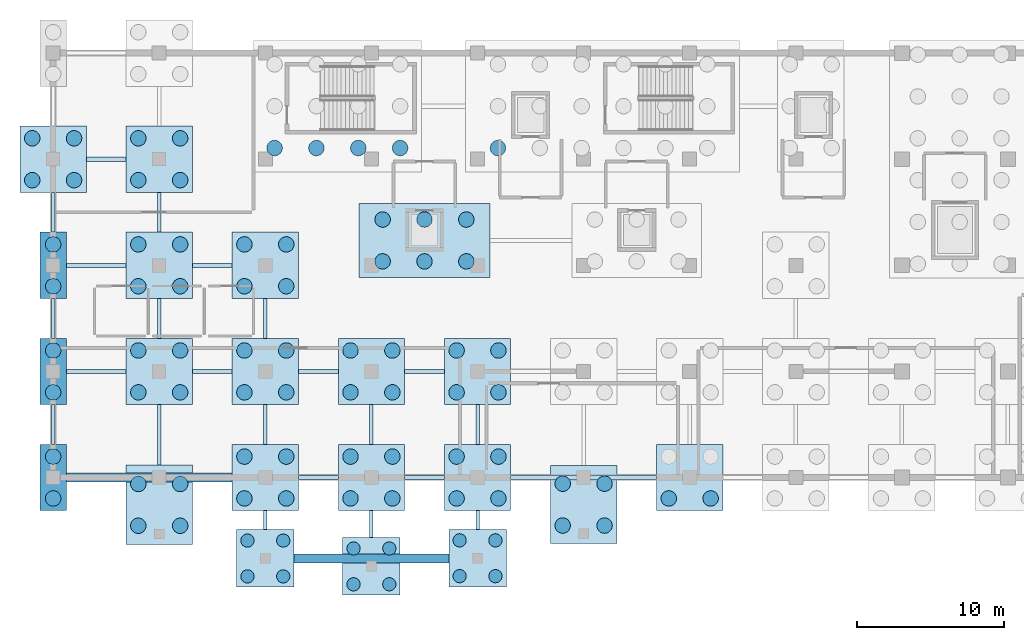
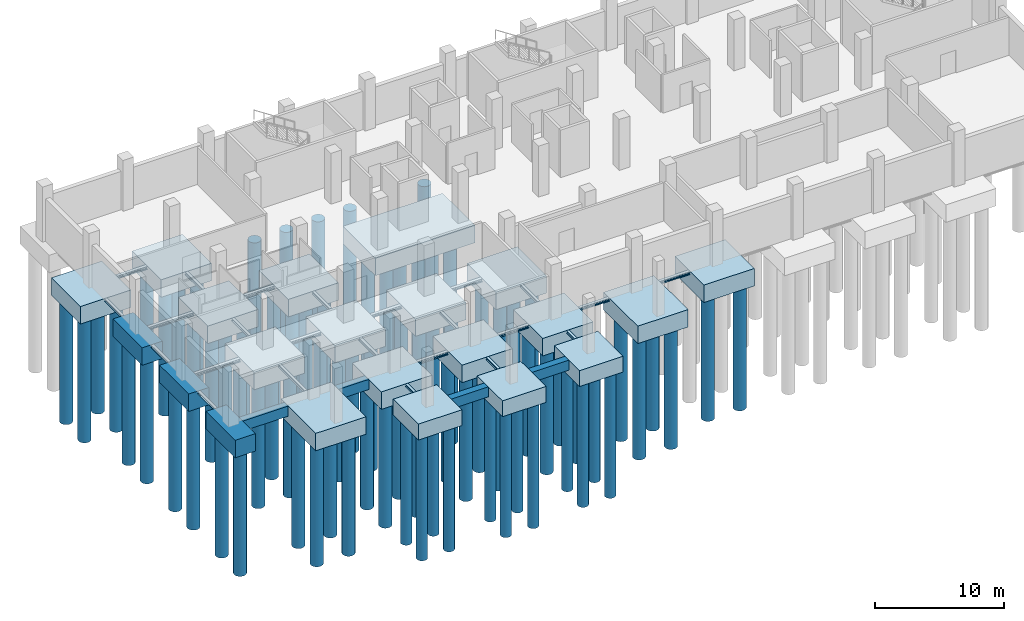
# One storey, part 1 of 10: 83 piles, 46 footings.
"""IFC4 building model written with IfcOpenShell, lengths in metres."""

from ifc_helpers import new_model, si_unit, direction, frame, origin, origin_2d, place, context, subcontext, project, spatial, rectangle, circle, i_section, extrude, material, material_profile, profile_set, type_object, element, save


model = new_model("IFC4")

# Units and contexts
model_context = context("Model", 3, precision=1e-05, world=origin(), true_north=direction((0.0, 1.0)))
body_context = subcontext(model_context, "Body", "Model", "MODEL_VIEW")
ifc_project = project(units=[si_unit("LENGTHUNIT", "METRE"), si_unit("AREAUNIT", "SQUARE_METRE"), si_unit("VOLUMEUNIT", "CUBIC_METRE"), si_unit("PLANEANGLEUNIT", "RADIAN"), si_unit("MASSUNIT", "GRAM", prefix="KILO")], contexts=[model_context])

# Site, building, storey
site_placement = place(None, origin())
site = spatial("IfcSite", under=ifc_project, at=site_placement, CompositionType="ELEMENT")
building_placement = place(site_placement, origin())
building = spatial("IfcBuilding", under=site, at=building_placement, Name="Cendralis Lancet Convention Centre", CompositionType="ELEMENT")
storey_placement = place(building_placement, frame((0.0, 0.0, -4.800048828125)))
storey = spatial("IfcBuildingStorey", under=building, at=storey_placement, Name="B1", CompositionType="ELEMENT", Elevation=-4.800048828125)

# Footings
ifc_material_1 = material(Name="Concrete G35 (C35/45)", Category="concrete")
footing_type_1 = type_object("IfcFootingType", Name="STR-FT-PC01", PredefinedType="PILE_CAP", material=ifc_material_1)
for number, where, z_axis, x_axis, name in (
    (1, (132.0, 7.199951171875, -2.0498046875), (0.0, 0.0, 1.0), (1.0, 0.0, 0.0), "Pile Cap PC-01 #001"),
    (2, (132.0, 14.39990234375, -2.0498046875), (0.0, 0.0, 1.0), (1.0, 0.0, 0.0), "Pile Cap PC-01 #002"),
    (3, (132.0, 21.60009765625, -2.0498046875), (0.0, 0.0, 1.0), (1.0, 0.0, 0.0), "Pile Cap PC-01 #003"),
):
    element("IfcFooting", number, at=place(storey_placement, frame(where, z_axis=z_axis, x_axis=x_axis)), inside=storey, type_object=footing_type_1, Name=name, PredefinedType="PILE_CAP", context=body_context, shape_type="SweptSolid", body=[
        extrude(rectangle(XDim=1.800048828125, YDim=4.5, at=origin_2d()), origin(), (0.0, 0.0, 1.0), 1.64990234375),
    ])
footing_type_2 = type_object("IfcFootingType", Name="STR-FT-PC02", PredefinedType="PILE_CAP", material=ifc_material_1)
for number, where, z_axis, x_axis, name in (
    (4, (132.0, 28.800048828125, -2.0498046875), (0.0, 0.0, 1.0), (1.0, 0.0, 0.0), "Pile Cap PC-02 #004"),
    (5, (139.199951171875, 14.39990234375, -2.0498046875), (0.0, 0.0, 1.0), (1.0, 0.0, 0.0), "Pile Cap PC-02 #007"),
    (6, (139.199951171875, 21.60009765625, -2.0498046875), (0.0, 0.0, 1.0), (1.0, 0.0, 0.0), "Pile Cap PC-02 #008"),
    (7, (139.199951171875, 28.800048828125, -2.0498046875), (0.0, 0.0, 1.0), (1.0, 0.0, 0.0), "Pile Cap PC-02 #009"),
    (8, (146.39990234375, 7.199951171875, -2.0498046875), (0.0, 0.0, 1.0), (1.0, 0.0, 0.0), "Pile Cap PC-02 #012"),
    (9, (146.39990234375, 14.39990234375, -2.0498046875), (0.0, 0.0, 1.0), (1.0, 0.0, 0.0), "Pile Cap PC-02 #013"),
    (10, (146.39990234375, 21.60009765625, -2.0498046875), (0.0, 0.0, 1.0), (1.0, 0.0, 0.0), "Pile Cap PC-02 #014"),
    (11, (153.60009765625, 7.199951171875, -2.0498046875), (0.0, 0.0, 1.0), (1.0, 0.0, 0.0), "Pile Cap PC-02 #017"),
    (12, (153.60009765625, 14.39990234375, -2.0498046875), (0.0, 0.0, 1.0), (1.0, 0.0, 0.0), "Pile Cap PC-02 #018"),
    (13, (160.800048828125, 7.199951171875, -2.0498046875), (0.0, 0.0, 1.0), (1.0, 0.0, 0.0), "Pile Cap PC-02 #021"),
    (14, (160.800048828125, 14.39990234375, -2.0498046875), (0.0, 0.0, 1.0), (1.0, 0.0, 0.0), "Pile Cap PC-02 #022"),
    (15, (175.199951171875, 7.199951171875, -2.0498046875), (0.0, 0.0, 1.0), (1.0, 0.0, 0.0), "Pile Cap PC-02 #027"),
):
    element("IfcFooting", number, at=place(storey_placement, frame(where, z_axis=z_axis, x_axis=x_axis)), inside=storey, type_object=footing_type_2, Name=name, PredefinedType="PILE_CAP", context=body_context, shape_type="SweptSolid", body=[
        extrude(rectangle(XDim=4.5, YDim=4.5, at=origin_2d()), origin(), (0.0, 0.0, 1.0), 1.64990234375),
    ])
footing_type_3 = type_object("IfcFootingType", Name="STR-FT-PC03", PredefinedType="PILE_CAP", material=ifc_material_1)
footing_1_placement = place(storey_placement, frame((139.199951171875, 5.34521484375, -2.0498046875), z_axis=(0.0, 0.0, 1.0), x_axis=(1.0, 0.0, 0.0)))
element("IfcFooting", 16, at=footing_1_placement, inside=storey, type_object=footing_type_3, Name="Pile Cap PC-03 #006", PredefinedType="PILE_CAP", context=body_context, shape_type="SweptSolid", body=[
    extrude(rectangle(XDim=4.5, YDim=5.39990234375, at=origin_2d()), origin(), (0.0, 0.0, 1.0), 1.64990234375),
])
footing_type_4 = type_object("IfcFootingType", Name="STR-FT-PC04", PredefinedType="PILE_CAP", material=ifc_material_1)
for number, where, z_axis, x_axis, name in (
    (17, (146.39990234375, 1.705810546875, -1.89990234375), (0.0, 0.0, 1.0), (1.0, 0.0, 0.0), "Pile Cap PC-04 #011"),
    (18, (153.60009765625, 1.169921875, -1.89990234375), (0.0, 0.0, 1.0), (1.0, 0.0, 0.0), "Pile Cap PC-04 #016"),
    (19, (160.800048828125, 1.720458984375, -1.89990234375), (0.0, 0.0, 1.0), (1.0, 0.0, 0.0), "Pile Cap PC-04 #020"),
):
    element("IfcFooting", number, at=place(storey_placement, frame(where, z_axis=z_axis, x_axis=x_axis)), inside=storey, type_object=footing_type_4, Name=name, PredefinedType="PILE_CAP", context=body_context, shape_type="SweptSolid", body=[
        extrude(rectangle(XDim=3.89990234375, YDim=3.89990234375, at=origin_2d()), origin(), (0.0, 0.0, 1.0), 1.5),
    ])
footing_type_5 = type_object("IfcFootingType", Name="STR-FT-PC06", PredefinedType="PILE_CAP", material=ifc_material_1)
footing_2_placement = place(storey_placement, frame((157.199951171875, 23.28759765625, -2.0498046875), z_axis=(0.0, 0.0, 1.0), x_axis=(1.0, 0.0, 0.0)))
element("IfcFooting", 20, at=footing_2_placement, inside=storey, type_object=footing_type_5, Name="Pile Cap PC-06 #019", PredefinedType="PILE_CAP", context=body_context, shape_type="SweptSolid", body=[
    extrude(rectangle(XDim=8.89990234375, YDim=5.0, at=origin_2d()), origin(), (0.0, 0.0, 1.0), 1.64990234375),
])
footing_type_6 = type_object("IfcFootingType", Name="STR-FT-PC07", PredefinedType="PILE_CAP", material=ifc_material_1)
footing_3_placement = place(storey_placement, frame((168.0, 5.360595703125, -2.0498046875), z_axis=(0.0, 0.0, 1.0), x_axis=(1.0, 0.0, 0.0)))
element("IfcFooting", 21, at=footing_3_placement, inside=storey, type_object=footing_type_6, Name="Pile Cap PC-07 #023", PredefinedType="PILE_CAP", context=body_context, shape_type="SweptSolid", body=[
    extrude(rectangle(XDim=4.5, YDim=5.300048828125, at=origin_2d()), origin(), (0.0, 0.0, 1.0), 1.64990234375),
])
ifc_material_profile_1 = material_profile(ifc_material_1, rectangle(XDim=0.60009765625, YDim=0.949951171875, at=origin_2d()), Name="RCB 600x950")
ifc_profile_set_1 = profile_set([ifc_material_profile_1], Name="Concrete G35 (C35/45)")
footing_type_7 = type_object("IfcFootingType", Name="STR-GB-GB01", PredefinedType="FOOTING_BEAM", material=ifc_profile_set_1)
footing_4_placement = place(storey_placement, frame((148.35009765625, 1.713134765625, -0.875), z_axis=(1.0, 0.0, 0.0), x_axis=(0.0, 1.0, 0.0)))
element("IfcFooting", 22, at=footing_4_placement, inside=storey, type_object=footing_type_7, Name="Ground Tie Beam GB01 X-001", PredefinedType="FOOTING_BEAM", context=body_context, shape_type="SweptSolid", body=[
    extrude(rectangle(XDim=0.60009765625, YDim=0.949951171875, at=origin_2d()), origin(), (0.0, 0.0, 1.0), 10.5),
])
footing_5_placement = place(storey_placement, frame((132.89990234375, 7.199951171875, -0.875), z_axis=(1.0, 0.0, 0.0), x_axis=(0.0, 1.0, 0.0)))
element("IfcFooting", 23, at=footing_5_placement, inside=storey, type_object=footing_type_7, Name="Ground Tie Beam GB01 X-002", PredefinedType="FOOTING_BEAM", context=body_context, shape_type="SweptSolid", body=[
    extrude(rectangle(XDim=0.60009765625, YDim=0.949951171875, at=origin_2d()), origin(), (0.0, 0.0, 1.0), 11.25),
])
ifc_material_2 = material(Name="Steel S355", Category="steel")
ifc_material_profile_2 = material_profile(ifc_material_2, i_section(OverallWidth=0.280029296875, OverallDepth=0.280029296875, WebThickness=0.010498046875, FlangeThickness=0.01806640625, FilletRadius=0.02392578125, at=origin_2d()), Name="HEB 280")
ifc_profile_set_2 = profile_set([ifc_material_profile_2], Name="Steel S355")
footing_type_8 = type_object("IfcFootingType", Name="STR-GB-GB05", PredefinedType="FOOTING_BEAM", material=ifc_profile_set_2)
footing_6_placement = place(storey_placement, frame((148.64990234375, 7.199951171875, -0.5400390625), z_axis=(1.0, 0.0, 0.0), x_axis=(0.0, 1.0, 0.0)))
element("IfcFooting", 24, at=footing_6_placement, inside=storey, type_object=footing_type_8, Name="Ground Tie Beam GB05 X-003", PredefinedType="FOOTING_BEAM", context=body_context, shape_type="SweptSolid", body=[
    extrude(i_section(OverallWidth=0.280029296875, OverallDepth=0.280029296875, WebThickness=0.010498046875, FlangeThickness=0.01806640625, FilletRadius=0.02392578125, at=origin_2d()), origin(), (0.0, 0.0, 1.0), 2.7001953125),
])
footing_7_placement = place(storey_placement, frame((155.85009765625, 7.199951171875, -0.5400390625), z_axis=(1.0, 0.0, 0.0), x_axis=(0.0, 1.0, 0.0)))
element("IfcFooting", 25, at=footing_7_placement, inside=storey, type_object=footing_type_8, Name="Ground Tie Beam GB05 X-004", PredefinedType="FOOTING_BEAM", context=body_context, shape_type="SweptSolid", body=[
    extrude(i_section(OverallWidth=0.280029296875, OverallDepth=0.280029296875, WebThickness=0.010498046875, FlangeThickness=0.01806640625, FilletRadius=0.02392578125, at=origin_2d()), origin(), (0.0, 0.0, 1.0), 2.699951171875),
])
footing_8_placement = place(storey_placement, frame((163.050048828125, 7.199951171875, -0.5400390625), z_axis=(1.0, 0.0, 0.0), x_axis=(0.0, 1.0, 0.0)))
element("IfcFooting", 26, at=footing_8_placement, inside=storey, type_object=footing_type_8, Name="Ground Tie Beam GB05 X-005", PredefinedType="FOOTING_BEAM", context=body_context, shape_type="SweptSolid", body=[
    extrude(i_section(OverallWidth=0.280029296875, OverallDepth=0.280029296875, WebThickness=0.010498046875, FlangeThickness=0.01806640625, FilletRadius=0.02392578125, at=origin_2d()), origin(), (0.0, 0.0, 1.0), 9.89990234375),
])
footing_9_placement = place(storey_placement, frame((132.89990234375, 14.39990234375, -0.5400390625), z_axis=(1.0, 0.0, 0.0), x_axis=(0.0, 1.0, 0.0)))
element("IfcFooting", 27, at=footing_9_placement, inside=storey, type_object=footing_type_8, Name="Ground Tie Beam GB05 X-010", PredefinedType="FOOTING_BEAM", context=body_context, shape_type="SweptSolid", body=[
    extrude(i_section(OverallWidth=0.280029296875, OverallDepth=0.280029296875, WebThickness=0.010498046875, FlangeThickness=0.01806640625, FilletRadius=0.02392578125, at=origin_2d()), origin(), (0.0, 0.0, 1.0), 4.050048828125),
])
footing_10_placement = place(storey_placement, frame((141.449951171875, 14.39990234375, -0.5400390625), z_axis=(1.0, 0.0, 0.0), x_axis=(0.0, 1.0, 0.0)))
element("IfcFooting", 28, at=footing_10_placement, inside=storey, type_object=footing_type_8, Name="Ground Tie Beam GB05 X-011", PredefinedType="FOOTING_BEAM", context=body_context, shape_type="SweptSolid", body=[
    extrude(i_section(OverallWidth=0.280029296875, OverallDepth=0.280029296875, WebThickness=0.010498046875, FlangeThickness=0.01806640625, FilletRadius=0.02392578125, at=origin_2d()), origin(), (0.0, 0.0, 1.0), 2.699951171875),
])
footing_11_placement = place(storey_placement, frame((148.64990234375, 14.39990234375, -0.5400390625), z_axis=(1.0, 0.0, 0.0), x_axis=(0.0, 1.0, 0.0)))
element("IfcFooting", 29, at=footing_11_placement, inside=storey, type_object=footing_type_8, Name="Ground Tie Beam GB05 X-012", PredefinedType="FOOTING_BEAM", context=body_context, shape_type="SweptSolid", body=[
    extrude(i_section(OverallWidth=0.280029296875, OverallDepth=0.280029296875, WebThickness=0.010498046875, FlangeThickness=0.01806640625, FilletRadius=0.02392578125, at=origin_2d()), origin(), (0.0, 0.0, 1.0), 2.7001953125),
])
footing_12_placement = place(storey_placement, frame((155.85009765625, 14.39990234375, -0.5400390625), z_axis=(1.0, 0.0, 0.0), x_axis=(0.0, 1.0, 0.0)))
element("IfcFooting", 30, at=footing_12_placement, inside=storey, type_object=footing_type_8, Name="Ground Tie Beam GB05 X-013", PredefinedType="FOOTING_BEAM", context=body_context, shape_type="SweptSolid", body=[
    extrude(i_section(OverallWidth=0.280029296875, OverallDepth=0.280029296875, WebThickness=0.010498046875, FlangeThickness=0.01806640625, FilletRadius=0.02392578125, at=origin_2d()), origin(), (0.0, 0.0, 1.0), 2.699951171875),
])
footing_13_placement = place(storey_placement, frame((132.89990234375, 21.60009765625, -0.5400390625), z_axis=(1.0, 0.0, 0.0), x_axis=(0.0, 1.0, 0.0)))
element("IfcFooting", 31, at=footing_13_placement, inside=storey, type_object=footing_type_8, Name="Ground Tie Beam GB05 X-020", PredefinedType="FOOTING_BEAM", context=body_context, shape_type="SweptSolid", body=[
    extrude(i_section(OverallWidth=0.280029296875, OverallDepth=0.280029296875, WebThickness=0.010498046875, FlangeThickness=0.01806640625, FilletRadius=0.02392578125, at=origin_2d()), origin(), (0.0, 0.0, 1.0), 4.050048828125),
])
for number, where, z_axis, x_axis, name in (
    (32, (141.449951171875, 21.60009765625, -0.5400390625), (1.0, 0.0, 0.0), (0.0, 1.0, 0.0), "Ground Tie Beam GB05 X-021"),
    (33, (134.25, 28.800048828125, -0.5400390625), (1.0, 0.0, 0.0), (0.0, 1.0, 0.0), "Ground Tie Beam GB05 X-023"),
):
    element("IfcFooting", number, at=place(storey_placement, frame(where, z_axis=z_axis, x_axis=x_axis)), inside=storey, type_object=footing_type_8, Name=name, PredefinedType="FOOTING_BEAM", context=body_context, shape_type="SweptSolid", body=[
        extrude(i_section(OverallWidth=0.280029296875, OverallDepth=0.280029296875, WebThickness=0.010498046875, FlangeThickness=0.01806640625, FilletRadius=0.02392578125, at=origin_2d()), origin(), (0.0, 0.0, 1.0), 2.699951171875),
    ])
ifc_material_profile_3 = material_profile(ifc_material_2, i_section(OverallWidth=0.239990234375, OverallDepth=0.239990234375, WebThickness=0.010009765625, FlangeThickness=0.01708984375, FilletRadius=0.02099609375, at=origin_2d()), Name="HEB 240")
ifc_profile_set_3 = profile_set([ifc_material_profile_3], Name="Steel S355")
footing_type_9 = type_object("IfcFootingType", Name="STR-GB-GB06", PredefinedType="FOOTING_BEAM", material=ifc_profile_set_3)
footing_14_placement = place(storey_placement, frame((132.0, 9.449951171875, -0.52001953125), z_axis=(0.0, 1.0, 0.0), x_axis=(-1.0, 0.0, 0.0)))
element("IfcFooting", 34, at=footing_14_placement, inside=storey, type_object=footing_type_9, Name="Ground Tie Beam GB06 Y-131", PredefinedType="FOOTING_BEAM", context=body_context, shape_type="SweptSolid", body=[
    extrude(i_section(OverallWidth=0.239990234375, OverallDepth=0.239990234375, WebThickness=0.010009765625, FlangeThickness=0.01708984375, FilletRadius=0.02099609375, at=origin_2d()), origin(), (0.0, 0.0, 1.0), 2.699951171875),
])
footing_15_placement = place(storey_placement, frame((132.0, 16.64990234375, -0.52001953125), z_axis=(0.0, 1.0, 0.0), x_axis=(-1.0, 0.0, 0.0)))
element("IfcFooting", 35, at=footing_15_placement, inside=storey, type_object=footing_type_9, Name="Ground Tie Beam GB06 Y-132", PredefinedType="FOOTING_BEAM", context=body_context, shape_type="SweptSolid", body=[
    extrude(i_section(OverallWidth=0.239990234375, OverallDepth=0.239990234375, WebThickness=0.010009765625, FlangeThickness=0.01708984375, FilletRadius=0.02099609375, at=origin_2d()), origin(), (0.0, 0.0, 1.0), 2.7001953125),
])
footing_16_placement = place(storey_placement, frame((132.0, 23.85009765625, -0.52001953125), z_axis=(0.0, 1.0, 0.0), x_axis=(-1.0, 0.0, 0.0)))
element("IfcFooting", 36, at=footing_16_placement, inside=storey, type_object=footing_type_9, Name="Ground Tie Beam GB06 Y-133", PredefinedType="FOOTING_BEAM", context=body_context, shape_type="SweptSolid", body=[
    extrude(i_section(OverallWidth=0.239990234375, OverallDepth=0.239990234375, WebThickness=0.010009765625, FlangeThickness=0.01708984375, FilletRadius=0.02099609375, at=origin_2d()), origin(), (0.0, 0.0, 1.0), 2.699951171875),
])
footing_17_placement = place(storey_placement, frame((139.199951171875, 8.04541015625, -0.52001953125), z_axis=(0.0, 1.0, 0.0), x_axis=(-1.0, 0.0, 0.0)))
element("IfcFooting", 37, at=footing_17_placement, inside=storey, type_object=footing_type_9, Name="Ground Tie Beam GB06 Y-135", PredefinedType="FOOTING_BEAM", context=body_context, shape_type="SweptSolid", body=[
    extrude(i_section(OverallWidth=0.239990234375, OverallDepth=0.239990234375, WebThickness=0.010009765625, FlangeThickness=0.01708984375, FilletRadius=0.02099609375, at=origin_2d()), origin(), (0.0, 0.0, 1.0), 4.1044921875),
])
footing_18_placement = place(storey_placement, frame((139.199951171875, 16.64990234375, -0.52001953125), z_axis=(0.0, 1.0, 0.0), x_axis=(-1.0, 0.0, 0.0)))
element("IfcFooting", 38, at=footing_18_placement, inside=storey, type_object=footing_type_9, Name="Ground Tie Beam GB06 Y-136", PredefinedType="FOOTING_BEAM", context=body_context, shape_type="SweptSolid", body=[
    extrude(i_section(OverallWidth=0.239990234375, OverallDepth=0.239990234375, WebThickness=0.010009765625, FlangeThickness=0.01708984375, FilletRadius=0.02099609375, at=origin_2d()), origin(), (0.0, 0.0, 1.0), 2.7001953125),
])
footing_19_placement = place(storey_placement, frame((139.199951171875, 23.85009765625, -0.52001953125), z_axis=(0.0, 1.0, 0.0), x_axis=(-1.0, 0.0, 0.0)))
element("IfcFooting", 39, at=footing_19_placement, inside=storey, type_object=footing_type_9, Name="Ground Tie Beam GB06 Y-137", PredefinedType="FOOTING_BEAM", context=body_context, shape_type="SweptSolid", body=[
    extrude(i_section(OverallWidth=0.239990234375, OverallDepth=0.239990234375, WebThickness=0.010009765625, FlangeThickness=0.01708984375, FilletRadius=0.02099609375, at=origin_2d()), origin(), (0.0, 0.0, 1.0), 2.699951171875),
])
footing_20_placement = place(storey_placement, frame((146.39990234375, 3.65576171875, -0.52001953125), z_axis=(0.0, 1.0, 0.0), x_axis=(-1.0, 0.0, 0.0)))
element("IfcFooting", 40, at=footing_20_placement, inside=storey, type_object=footing_type_9, Name="Ground Tie Beam GB06 Y-139", PredefinedType="FOOTING_BEAM", context=body_context, shape_type="SweptSolid", body=[
    extrude(i_section(OverallWidth=0.239990234375, OverallDepth=0.239990234375, WebThickness=0.010009765625, FlangeThickness=0.01708984375, FilletRadius=0.02099609375, at=origin_2d()), origin(), (0.0, 0.0, 1.0), 1.294189453125),
])
footing_21_placement = place(storey_placement, frame((146.39990234375, 9.449951171875, -0.52001953125), z_axis=(0.0, 1.0, 0.0), x_axis=(-1.0, 0.0, 0.0)))
element("IfcFooting", 41, at=footing_21_placement, inside=storey, type_object=footing_type_9, Name="Ground Tie Beam GB06 Y-140", PredefinedType="FOOTING_BEAM", context=body_context, shape_type="SweptSolid", body=[
    extrude(i_section(OverallWidth=0.239990234375, OverallDepth=0.239990234375, WebThickness=0.010009765625, FlangeThickness=0.01708984375, FilletRadius=0.02099609375, at=origin_2d()), origin(), (0.0, 0.0, 1.0), 2.699951171875),
])
footing_22_placement = place(storey_placement, frame((146.39990234375, 16.64990234375, -0.52001953125), z_axis=(0.0, 1.0, 0.0), x_axis=(-1.0, 0.0, 0.0)))
element("IfcFooting", 42, at=footing_22_placement, inside=storey, type_object=footing_type_9, Name="Ground Tie Beam GB06 Y-141", PredefinedType="FOOTING_BEAM", context=body_context, shape_type="SweptSolid", body=[
    extrude(i_section(OverallWidth=0.239990234375, OverallDepth=0.239990234375, WebThickness=0.010009765625, FlangeThickness=0.01708984375, FilletRadius=0.02099609375, at=origin_2d()), origin(), (0.0, 0.0, 1.0), 2.7001953125),
])
footing_23_placement = place(storey_placement, frame((153.60009765625, 3.1201171875, -0.52001953125), z_axis=(0.0, 1.0, 0.0), x_axis=(-1.0, 0.0, 0.0)))
element("IfcFooting", 43, at=footing_23_placement, inside=storey, type_object=footing_type_9, Name="Ground Tie Beam GB06 Y-142", PredefinedType="FOOTING_BEAM", context=body_context, shape_type="SweptSolid", body=[
    extrude(i_section(OverallWidth=0.239990234375, OverallDepth=0.239990234375, WebThickness=0.010009765625, FlangeThickness=0.01708984375, FilletRadius=0.02099609375, at=origin_2d()), origin(), (0.0, 0.0, 1.0), 1.829833984375),
])
footing_24_placement = place(storey_placement, frame((153.60009765625, 9.449951171875, -0.52001953125), z_axis=(0.0, 1.0, 0.0), x_axis=(-1.0, 0.0, 0.0)))
element("IfcFooting", 44, at=footing_24_placement, inside=storey, type_object=footing_type_9, Name="Ground Tie Beam GB06 Y-143", PredefinedType="FOOTING_BEAM", context=body_context, shape_type="SweptSolid", body=[
    extrude(i_section(OverallWidth=0.239990234375, OverallDepth=0.239990234375, WebThickness=0.010009765625, FlangeThickness=0.01708984375, FilletRadius=0.02099609375, at=origin_2d()), origin(), (0.0, 0.0, 1.0), 2.699951171875),
])
footing_25_placement = place(storey_placement, frame((160.800048828125, 3.67041015625, -0.52001953125), z_axis=(0.0, 1.0, 0.0), x_axis=(-1.0, 0.0, 0.0)))
element("IfcFooting", 45, at=footing_25_placement, inside=storey, type_object=footing_type_9, Name="Ground Tie Beam GB06 Y-144", PredefinedType="FOOTING_BEAM", context=body_context, shape_type="SweptSolid", body=[
    extrude(i_section(OverallWidth=0.239990234375, OverallDepth=0.239990234375, WebThickness=0.010009765625, FlangeThickness=0.01708984375, FilletRadius=0.02099609375, at=origin_2d()), origin(), (0.0, 0.0, 1.0), 1.279541015625),
])
footing_26_placement = place(storey_placement, frame((160.800048828125, 9.449951171875, -0.52001953125), z_axis=(0.0, 1.0, 0.0), x_axis=(-1.0, 0.0, 0.0)))
element("IfcFooting", 46, at=footing_26_placement, inside=storey, type_object=footing_type_9, Name="Ground Tie Beam GB06 Y-145", PredefinedType="FOOTING_BEAM", context=body_context, shape_type="SweptSolid", body=[
    extrude(i_section(OverallWidth=0.239990234375, OverallDepth=0.239990234375, WebThickness=0.010009765625, FlangeThickness=0.01708984375, FilletRadius=0.02099609375, at=origin_2d()), origin(), (0.0, 0.0, 1.0), 2.699951171875),
])

# Piles
ifc_material_profile_4 = material_profile(ifc_material_1, circle(Radius=0.52490234375, at=origin_2d()), Name="BORED PILE D1050")
ifc_profile_set_4 = profile_set([ifc_material_profile_4], Name="Concrete G35 (C35/45)")
pile_type_1 = type_object("IfcPileType", Name="STR-PL-P1050", PredefinedType="BORED", material=ifc_profile_set_4)
for number, where, z_axis, x_axis, name in (
    (47, (132.0, 5.780029296875, -1.89990234375), (0.0, 0.0, -1.0), (1.0, 0.0, 0.0), "Bored Pile P-1050 FT2-PC-01-001-P1"),
    (48, (132.0, 8.6201171875, -1.89990234375), (0.0, 0.0, -1.0), (1.0, 0.0, 0.0), "Bored Pile P-1050 FT2-PC-01-001-P2"),
    (49, (132.0, 12.97998046875, -1.89990234375), (0.0, 0.0, -1.0), (1.0, 0.0, 0.0), "Bored Pile P-1050 FT2-PC-01-002-P1"),
    (50, (132.0, 15.820068359375, -1.89990234375), (0.0, 0.0, -1.0), (1.0, 0.0, 0.0), "Bored Pile P-1050 FT2-PC-01-002-P2"),
    (51, (132.0, 20.179931640625, -1.89990234375), (0.0, 0.0, -1.0), (1.0, 0.0, 0.0), "Bored Pile P-1050 FT2-PC-01-003-P1"),
    (52, (132.0, 23.02001953125, -1.89990234375), (0.0, 0.0, -1.0), (1.0, 0.0, 0.0), "Bored Pile P-1050 FT2-PC-01-003-P2"),
    (53, (130.580078125, 27.3798828125, -1.89990234375), (0.0, 0.0, -1.0), (1.0, 0.0, 0.0), "Bored Pile P-1050 FT2-PC-02-004-P1"),
    (54, (130.580078125, 30.219970703125, -1.89990234375), (0.0, 0.0, -1.0), (1.0, 0.0, 0.0), "Bored Pile P-1050 FT2-PC-02-004-P2"),
    (55, (133.419921875, 27.3798828125, -1.89990234375), (0.0, 0.0, -1.0), (1.0, 0.0, 0.0), "Bored Pile P-1050 FT2-PC-02-004-P3"),
    (56, (133.419921875, 30.219970703125, -1.89990234375), (0.0, 0.0, -1.0), (1.0, 0.0, 0.0), "Bored Pile P-1050 FT2-PC-02-004-P4"),
    (57, (137.780029296875, 3.92529296875, -1.89990234375), (0.0, 0.0, -1.0), (1.0, 0.0, 0.0), "Bored Pile P-1050 FT2-PC-03-006-P1"),
    (58, (137.780029296875, 6.765380859375, -1.89990234375), (0.0, 0.0, -1.0), (1.0, 0.0, 0.0), "Bored Pile P-1050 FT2-PC-03-006-P2"),
    (59, (140.6201171875, 3.92529296875, -1.89990234375), (0.0, 0.0, -1.0), (1.0, 0.0, 0.0), "Bored Pile P-1050 FT2-PC-03-006-P3"),
    (60, (140.6201171875, 6.765380859375, -1.89990234375), (0.0, 0.0, -1.0), (1.0, 0.0, 0.0), "Bored Pile P-1050 FT2-PC-03-006-P4"),
    (61, (137.780029296875, 12.97998046875, -1.89990234375), (0.0, 0.0, -1.0), (1.0, 0.0, 0.0), "Bored Pile P-1050 FT2-PC-02-007-P1"),
    (62, (137.780029296875, 15.820068359375, -1.89990234375), (0.0, 0.0, -1.0), (1.0, 0.0, 0.0), "Bored Pile P-1050 FT2-PC-02-007-P2"),
    (63, (140.6201171875, 12.97998046875, -1.89990234375), (0.0, 0.0, -1.0), (1.0, 0.0, 0.0), "Bored Pile P-1050 FT2-PC-02-007-P3"),
    (64, (140.6201171875, 15.820068359375, -1.89990234375), (0.0, 0.0, -1.0), (1.0, 0.0, 0.0), "Bored Pile P-1050 FT2-PC-02-007-P4"),
    (65, (137.780029296875, 20.179931640625, -1.89990234375), (0.0, 0.0, -1.0), (1.0, 0.0, 0.0), "Bored Pile P-1050 FT2-PC-02-008-P1"),
    (66, (137.780029296875, 23.02001953125, -1.89990234375), (0.0, 0.0, -1.0), (1.0, 0.0, 0.0), "Bored Pile P-1050 FT2-PC-02-008-P2"),
    (67, (140.6201171875, 20.179931640625, -1.89990234375), (0.0, 0.0, -1.0), (1.0, 0.0, 0.0), "Bored Pile P-1050 FT2-PC-02-008-P3"),
    (68, (140.6201171875, 23.02001953125, -1.89990234375), (0.0, 0.0, -1.0), (1.0, 0.0, 0.0), "Bored Pile P-1050 FT2-PC-02-008-P4"),
    (69, (137.780029296875, 27.3798828125, -1.89990234375), (0.0, 0.0, -1.0), (1.0, 0.0, 0.0), "Bored Pile P-1050 FT2-PC-02-009-P1"),
    (70, (137.780029296875, 30.219970703125, -1.89990234375), (0.0, 0.0, -1.0), (1.0, 0.0, 0.0), "Bored Pile P-1050 FT2-PC-02-009-P2"),
    (71, (140.6201171875, 27.3798828125, -1.89990234375), (0.0, 0.0, -1.0), (1.0, 0.0, 0.0), "Bored Pile P-1050 FT2-PC-02-009-P3"),
    (72, (140.6201171875, 30.219970703125, -1.89990234375), (0.0, 0.0, -1.0), (1.0, 0.0, 0.0), "Bored Pile P-1050 FT2-PC-02-009-P4"),
    (73, (144.97998046875, 5.780029296875, -1.89990234375), (0.0, 0.0, -1.0), (1.0, 0.0, 0.0), "Bored Pile P-1050 FT2-PC-02-012-P1"),
    (74, (144.97998046875, 8.6201171875, -1.89990234375), (0.0, 0.0, -1.0), (1.0, 0.0, 0.0), "Bored Pile P-1050 FT2-PC-02-012-P2"),
    (75, (147.820068359375, 5.780029296875, -1.89990234375), (0.0, 0.0, -1.0), (1.0, 0.0, 0.0), "Bored Pile P-1050 FT2-PC-02-012-P3"),
    (76, (147.820068359375, 8.6201171875, -1.89990234375), (0.0, 0.0, -1.0), (1.0, 0.0, 0.0), "Bored Pile P-1050 FT2-PC-02-012-P4"),
    (77, (144.97998046875, 12.97998046875, -1.89990234375), (0.0, 0.0, -1.0), (1.0, 0.0, 0.0), "Bored Pile P-1050 FT2-PC-02-013-P1"),
    (78, (144.97998046875, 15.820068359375, -1.89990234375), (0.0, 0.0, -1.0), (1.0, 0.0, 0.0), "Bored Pile P-1050 FT2-PC-02-013-P2"),
    (79, (147.820068359375, 12.97998046875, -1.89990234375), (0.0, 0.0, -1.0), (1.0, 0.0, 0.0), "Bored Pile P-1050 FT2-PC-02-013-P3"),
    (80, (147.820068359375, 15.820068359375, -1.89990234375), (0.0, 0.0, -1.0), (1.0, 0.0, 0.0), "Bored Pile P-1050 FT2-PC-02-013-P4"),
    (81, (144.97998046875, 20.179931640625, -1.89990234375), (0.0, 0.0, -1.0), (1.0, 0.0, 0.0), "Bored Pile P-1050 FT2-PC-02-014-P1"),
    (82, (144.97998046875, 23.02001953125, -1.89990234375), (0.0, 0.0, -1.0), (1.0, 0.0, 0.0), "Bored Pile P-1050 FT2-PC-02-014-P2"),
    (83, (147.820068359375, 20.179931640625, -1.89990234375), (0.0, 0.0, -1.0), (1.0, 0.0, 0.0), "Bored Pile P-1050 FT2-PC-02-014-P3"),
    (84, (147.820068359375, 23.02001953125, -1.89990234375), (0.0, 0.0, -1.0), (1.0, 0.0, 0.0), "Bored Pile P-1050 FT2-PC-02-014-P4"),
    (85, (147.027587890625, 29.56005859375, -1.89990234375), (0.0, 0.0, -1.0), (1.0, 0.0, 0.0), "Bored Pile P-1050 FT2-PC-05-015-P1"),
    (86, (149.867431640625, 29.56005859375, -1.89990234375), (0.0, 0.0, -1.0), (1.0, 0.0, 0.0), "Bored Pile P-1050 FT2-PC-05-015-P4"),
    (87, (152.70751953125, 29.56005859375, -1.89990234375), (0.0, 0.0, -1.0), (1.0, 0.0, 0.0), "Bored Pile P-1050 FT2-PC-05-015-P7"),
    (88, (155.547607421875, 29.56005859375, -1.89990234375), (0.0, 0.0, -1.0), (1.0, 0.0, 0.0), "Bored Pile P-1050 FT2-PC-05-015-P10"),
    (89, (152.179931640625, 5.780029296875, -1.89990234375), (0.0, 0.0, -1.0), (1.0, 0.0, 0.0), "Bored Pile P-1050 FT2-PC-02-017-P1"),
    (90, (152.179931640625, 8.6201171875, -1.89990234375), (0.0, 0.0, -1.0), (1.0, 0.0, 0.0), "Bored Pile P-1050 FT2-PC-02-017-P2"),
    (91, (155.02001953125, 5.780029296875, -1.89990234375), (0.0, 0.0, -1.0), (1.0, 0.0, 0.0), "Bored Pile P-1050 FT2-PC-02-017-P3"),
    (92, (155.02001953125, 8.6201171875, -1.89990234375), (0.0, 0.0, -1.0), (1.0, 0.0, 0.0), "Bored Pile P-1050 FT2-PC-02-017-P4"),
    (93, (152.179931640625, 12.97998046875, -1.89990234375), (0.0, 0.0, -1.0), (1.0, 0.0, 0.0), "Bored Pile P-1050 FT2-PC-02-018-P1"),
    (94, (152.179931640625, 15.820068359375, -1.89990234375), (0.0, 0.0, -1.0), (1.0, 0.0, 0.0), "Bored Pile P-1050 FT2-PC-02-018-P2"),
    (95, (155.02001953125, 12.97998046875, -1.89990234375), (0.0, 0.0, -1.0), (1.0, 0.0, 0.0), "Bored Pile P-1050 FT2-PC-02-018-P3"),
    (96, (155.02001953125, 15.820068359375, -1.89990234375), (0.0, 0.0, -1.0), (1.0, 0.0, 0.0), "Bored Pile P-1050 FT2-PC-02-018-P4"),
    (97, (154.360107421875, 21.867431640625, -1.89990234375), (0.0, 0.0, -1.0), (1.0, 0.0, 0.0), "Bored Pile P-1050 FT2-PC-06-019-P1"),
    (98, (154.360107421875, 24.70751953125, -1.89990234375), (0.0, 0.0, -1.0), (1.0, 0.0, 0.0), "Bored Pile P-1050 FT2-PC-06-019-P2"),
    (99, (157.199951171875, 21.867431640625, -1.89990234375), (0.0, 0.0, -1.0), (1.0, 0.0, 0.0), "Bored Pile P-1050 FT2-PC-06-019-P3"),
    (100, (157.199951171875, 24.70751953125, -1.89990234375), (0.0, 0.0, -1.0), (1.0, 0.0, 0.0), "Bored Pile P-1050 FT2-PC-06-019-P4"),
    (101, (160.0400390625, 21.867431640625, -1.89990234375), (0.0, 0.0, -1.0), (1.0, 0.0, 0.0), "Bored Pile P-1050 FT2-PC-06-019-P5"),
    (102, (160.0400390625, 24.70751953125, -1.89990234375), (0.0, 0.0, -1.0), (1.0, 0.0, 0.0), "Bored Pile P-1050 FT2-PC-06-019-P6"),
    (103, (159.3798828125, 5.780029296875, -1.89990234375), (0.0, 0.0, -1.0), (1.0, 0.0, 0.0), "Bored Pile P-1050 FT2-PC-02-021-P1"),
    (104, (159.3798828125, 8.6201171875, -1.89990234375), (0.0, 0.0, -1.0), (1.0, 0.0, 0.0), "Bored Pile P-1050 FT2-PC-02-021-P2"),
    (105, (162.219970703125, 5.780029296875, -1.89990234375), (0.0, 0.0, -1.0), (1.0, 0.0, 0.0), "Bored Pile P-1050 FT2-PC-02-021-P3"),
    (106, (162.219970703125, 8.6201171875, -1.89990234375), (0.0, 0.0, -1.0), (1.0, 0.0, 0.0), "Bored Pile P-1050 FT2-PC-02-021-P4"),
    (107, (159.3798828125, 12.97998046875, -1.89990234375), (0.0, 0.0, -1.0), (1.0, 0.0, 0.0), "Bored Pile P-1050 FT2-PC-02-022-P1"),
    (108, (159.3798828125, 15.820068359375, -1.89990234375), (0.0, 0.0, -1.0), (1.0, 0.0, 0.0), "Bored Pile P-1050 FT2-PC-02-022-P2"),
    (109, (162.219970703125, 12.97998046875, -1.89990234375), (0.0, 0.0, -1.0), (1.0, 0.0, 0.0), "Bored Pile P-1050 FT2-PC-02-022-P3"),
    (110, (162.219970703125, 15.820068359375, -1.89990234375), (0.0, 0.0, -1.0), (1.0, 0.0, 0.0), "Bored Pile P-1050 FT2-PC-02-022-P4"),
    (111, (166.580078125, 3.940673828125, -1.89990234375), (0.0, 0.0, -1.0), (1.0, 0.0, 0.0), "Bored Pile P-1050 FT2-PC-07-023-P1"),
    (112, (166.580078125, 6.780517578125, -1.89990234375), (0.0, 0.0, -1.0), (1.0, 0.0, 0.0), "Bored Pile P-1050 FT2-PC-07-023-P2"),
    (113, (169.419921875, 3.940673828125, -1.89990234375), (0.0, 0.0, -1.0), (1.0, 0.0, 0.0), "Bored Pile P-1050 FT2-PC-07-023-P3"),
    (114, (169.419921875, 6.780517578125, -1.89990234375), (0.0, 0.0, -1.0), (1.0, 0.0, 0.0), "Bored Pile P-1050 FT2-PC-07-023-P4"),
    (115, (162.1875, 29.56005859375, -1.89990234375), (0.0, 0.0, -1.0), (1.0, 0.0, 0.0), "Bored Pile P-1050 FT2-PC-08-025-P1"),
    (116, (173.780029296875, 5.780029296875, -1.89990234375), (0.0, 0.0, -1.0), (1.0, 0.0, 0.0), "Bored Pile P-1050 FT2-PC-02-027-P1"),
    (117, (176.6201171875, 5.780029296875, -1.89990234375), (0.0, 0.0, -1.0), (1.0, 0.0, 0.0), "Bored Pile P-1050 FT2-PC-02-027-P3"),
):
    element("IfcPile", number, at=place(storey_placement, frame(where, z_axis=z_axis, x_axis=x_axis)), inside=storey, type_object=pile_type_1, Name=name, PredefinedType="BORED", context=body_context, shape_type="SweptSolid", body=[
        extrude(circle(Radius=0.52490234375, at=origin_2d()), origin(), (0.0, 0.0, 1.0), 11.800048828125),
    ])
ifc_material_profile_5 = material_profile(ifc_material_1, circle(Radius=0.449951171875, at=origin_2d()), Name="BORED PILE D900")
ifc_profile_set_5 = profile_set([ifc_material_profile_5], Name="Concrete G35 (C35/45)")
pile_type_2 = type_object("IfcPileType", Name="STR-PL-P900", PredefinedType="BORED", material=ifc_profile_set_5)
for number, where, z_axis, x_axis, name in (
    (118, (145.18505859375, 0.49072265625, -1.75), (0.0, 0.0, -1.0), (1.0, 0.0, 0.0), "Bored Pile P-900 FT2-PC-04-011-P1"),
    (119, (145.18505859375, 2.920654296875, -1.75), (0.0, 0.0, -1.0), (1.0, 0.0, 0.0), "Bored Pile P-900 FT2-PC-04-011-P2"),
    (120, (147.614990234375, 0.49072265625, -1.75), (0.0, 0.0, -1.0), (1.0, 0.0, 0.0), "Bored Pile P-900 FT2-PC-04-011-P3"),
    (121, (147.614990234375, 2.920654296875, -1.75), (0.0, 0.0, -1.0), (1.0, 0.0, 0.0), "Bored Pile P-900 FT2-PC-04-011-P4"),
    (122, (152.385009765625, -0.044921875, -1.75), (0.0, 0.0, -1.0), (1.0, 0.0, 0.0), "Bored Pile P-900 FT2-PC-04-016-P1"),
    (123, (152.385009765625, 2.385009765625, -1.75), (0.0, 0.0, -1.0), (1.0, 0.0, 0.0), "Bored Pile P-900 FT2-PC-04-016-P2"),
    (124, (154.81494140625, -0.044921875, -1.75), (0.0, 0.0, -1.0), (1.0, 0.0, 0.0), "Bored Pile P-900 FT2-PC-04-016-P3"),
    (125, (154.81494140625, 2.385009765625, -1.75), (0.0, 0.0, -1.0), (1.0, 0.0, 0.0), "Bored Pile P-900 FT2-PC-04-016-P4"),
    (126, (159.5849609375, 0.505615234375, -1.75), (0.0, 0.0, -1.0), (1.0, 0.0, 0.0), "Bored Pile P-900 FT2-PC-04-020-P1"),
    (127, (159.5849609375, 2.935546875, -1.75), (0.0, 0.0, -1.0), (1.0, 0.0, 0.0), "Bored Pile P-900 FT2-PC-04-020-P2"),
    (128, (162.014892578125, 0.505615234375, -1.75), (0.0, 0.0, -1.0), (1.0, 0.0, 0.0), "Bored Pile P-900 FT2-PC-04-020-P3"),
    (129, (162.014892578125, 2.935546875, -1.75), (0.0, 0.0, -1.0), (1.0, 0.0, 0.0), "Bored Pile P-900 FT2-PC-04-020-P4"),
):
    element("IfcPile", number, at=place(storey_placement, frame(where, z_axis=z_axis, x_axis=x_axis)), inside=storey, type_object=pile_type_2, Name=name, PredefinedType="BORED", context=body_context, shape_type="SweptSolid", body=[
        extrude(circle(Radius=0.449951171875, at=origin_2d()), origin(), (0.0, 0.0, 1.0), 11.949951171875),
    ])

save(model, "model.ifc")
